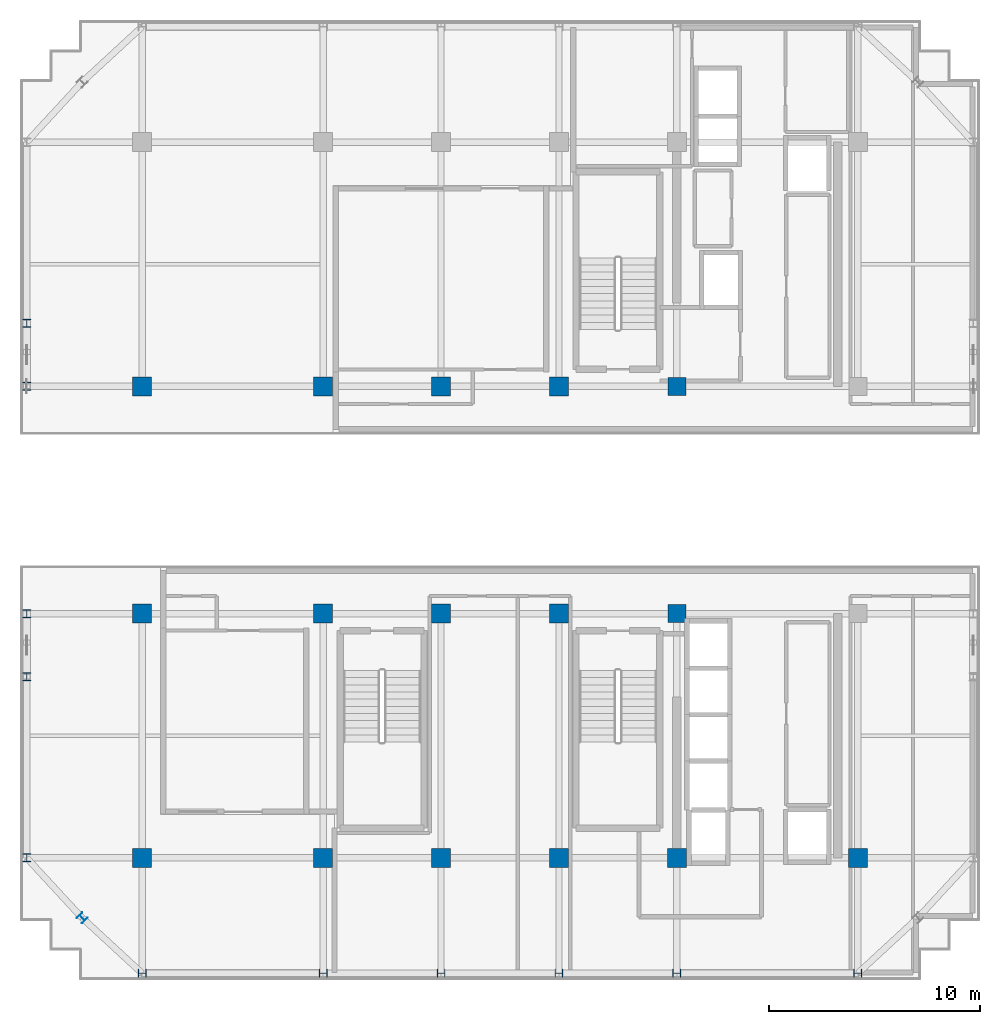
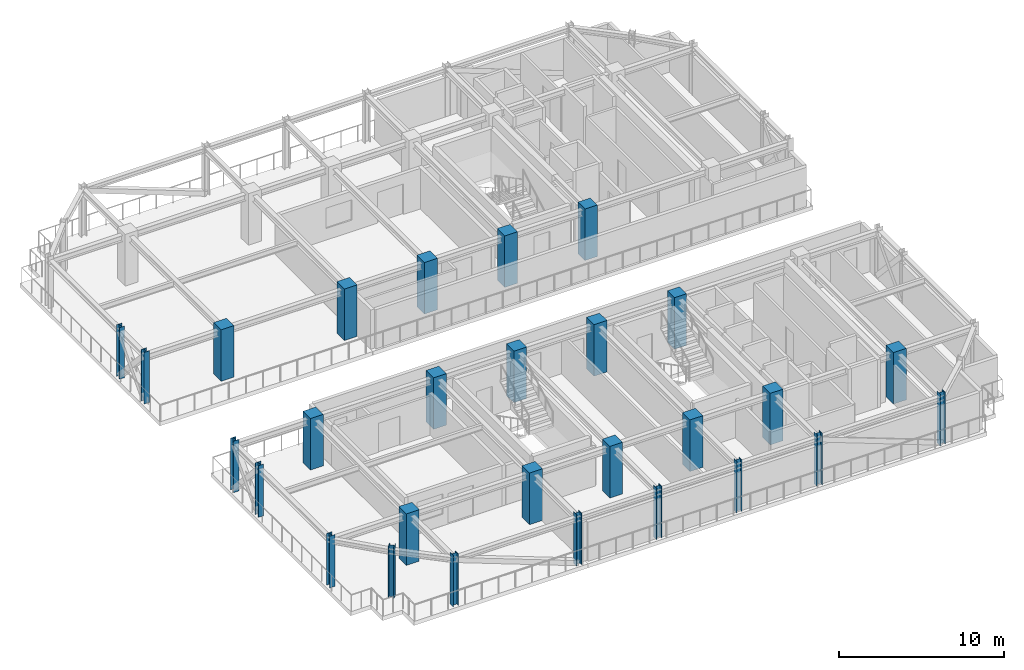
# One storey, part 1 of 14: 28 columns.
"""IFC4 building model written with IfcOpenShell, lengths in metres."""

from ifc_helpers import new_model, si_unit, direction, frame, origin, origin_2d, place, context, subcontext, project, spatial, rectangle, i_section, extrude, source, transform, mapped, material, material_profile, profile_set, type_object, element, save


model = new_model("IFC4")

# Units and contexts
model_context = context("Model", 3, precision=1e-05, world=origin(), true_north=direction((0.0, 1.0)))
body_context = subcontext(model_context, "Body", "Model", "MODEL_VIEW")
ifc_project = project(units=[si_unit("LENGTHUNIT", "METRE"), si_unit("AREAUNIT", "SQUARE_METRE"), si_unit("VOLUMEUNIT", "CUBIC_METRE"), si_unit("PLANEANGLEUNIT", "RADIAN"), si_unit("MASSUNIT", "GRAM", prefix="KILO")], contexts=[model_context])

# Site, building, storey
site_placement = place(None, origin())
site = spatial("IfcSite", under=ifc_project, at=site_placement, CompositionType="ELEMENT")
building_placement = place(site_placement, origin())
building = spatial("IfcBuilding", under=site, at=building_placement, Name="Nahalor Promenade Grand Hotel", CompositionType="ELEMENT")
storey_placement = place(building_placement, frame((0.0, 0.0, 296.5)))
storey = spatial("IfcBuildingStorey", under=building, at=storey_placement, Name="L76", CompositionType="ELEMENT", Elevation=296.5)

# Columns
ifc_material_1 = material(Name="Concrete B-50 (C40/50)", Category="concrete")
ifc_material_profile_1 = material_profile(ifc_material_1, rectangle(XDim=0.9, YDim=0.9, at=origin_2d()), Name="RC 900x900")
ifc_profile_set_1 = profile_set([ifc_material_profile_1], Name="Concrete B-50 (C40/50)")
column_type_1 = type_object("IfcColumnType", Name="Col-RC-900", PredefinedType="COLUMN", material=ifc_profile_set_1)
shared_shape_1 = source(origin(), body_context, "Body", "SweptSolid", [
    extrude(rectangle(XDim=0.9, YDim=0.9, at=origin_2d()), origin(), (0.0, 0.0, 1.0), 3.804931640625),
])
for number, where, z_axis, x_axis, name in (
    (1, (-17.0, -17.0, 0.0), (0.0, 0.0, 1.0), (1.0, 0.0, 0.0), "COL-L76-I00"),
    (2, (-17.0, -5.39990234375, 0.0), (0.0, 0.0, 1.0), (1.0, 0.0, 0.0), "COL-L76-I01"),
    (3, (-17.0, 5.39990234375, 0.0), (0.0, 0.0, 1.0), (1.0, 0.0, 0.0), "COL-L76-I02"),
    (4, (-8.39990234375, -17.0, 0.0), (0.0, 0.0, 1.0), (1.0, 0.0, 0.0), "COL-L76-I10"),
    (5, (-8.39990234375, -5.39990234375, 0.0), (0.0, 0.0, 1.0), (1.0, 0.0, 0.0), "COL-L76-I11"),
    (6, (-8.39990234375, 5.39990234375, 0.0), (0.0, 0.0, 1.0), (1.0, 0.0, 0.0), "COL-L76-I12"),
    (7, (-2.800048828125, -17.0, 0.0), (0.0, 0.0, 1.0), (1.0, 0.0, 0.0), "COL-L76-I20"),
    (8, (-2.800048828125, -5.39990234375, 0.0), (0.0, 0.0, 1.0), (1.0, 0.0, 0.0), "COL-L76-I21"),
    (9, (-2.800048828125, 5.39990234375, 0.0), (0.0, 0.0, 1.0), (1.0, 0.0, 0.0), "COL-L76-I22"),
    (10, (2.800048828125, -17.0, 0.0), (0.0, 0.0, 1.0), (1.0, 0.0, 0.0), "COL-L76-I30"),
    (11, (2.800048828125, -5.39990234375, 0.0), (0.0, 0.0, 1.0), (1.0, 0.0, 0.0), "COL-L76-I31"),
    (12, (2.800048828125, 5.39990234375, 0.0), (0.0, 0.0, 1.0), (1.0, 0.0, 0.0), "COL-L76-I32"),
    (13, (8.39990234375, -17.0, 0.0), (0.0, 0.0, 1.0), (1.0, 0.0, 0.0), "COL-L76-I40"),
    (14, (17.0, -17.0, 0.0), (0.0, 0.0, 1.0), (1.0, 0.0, 0.0), "COL-L76-I50"),
):
    element("IfcColumn", number, at=place(storey_placement, frame(where, z_axis=z_axis, x_axis=x_axis)), inside=storey, type_object=column_type_1, Name=name, PredefinedType="COLUMN", context=body_context, shape_type="MappedRepresentation", body=[
        mapped(shared_shape_1, transform((0.0, 0.0, 0.0), scale=1.0)),
    ])
ifc_material_2 = material(Name="Concrete B-70 (C60/75)", Category="concrete")
ifc_material_profile_2 = material_profile(ifc_material_2, rectangle(XDim=0.85, YDim=0.85, at=origin_2d()), Name="RC 850x850")
ifc_profile_set_2 = profile_set([ifc_material_profile_2], Name="Concrete B-70 (C60/75)")
column_type_2 = type_object("IfcColumnType", Name="Col-Pilaster-850", PredefinedType="PILASTER", material=ifc_profile_set_2)
shared_shape_2 = source(origin(), body_context, "Body", "SweptSolid", [
    extrude(rectangle(XDim=0.85, YDim=0.85, at=origin_2d()), origin(), (0.0, 0.0, 1.0), 3.804931640625),
])
for number, where, z_axis, x_axis, name in (
    (15, (8.39990234375, -5.39990234375, 0.0), (0.0, 0.0, 1.0), (1.0, 0.0, 0.0), "COL-L76-I41"),
    (16, (8.39990234375, 5.39990234375, 0.0), (0.0, 0.0, 1.0), (1.0, 0.0, 0.0), "COL-L76-I42"),
):
    element("IfcColumn", number, at=place(storey_placement, frame(where, z_axis=z_axis, x_axis=x_axis)), inside=storey, type_object=column_type_2, Name=name, PredefinedType="PILASTER", context=body_context, shape_type="MappedRepresentation", body=[
        mapped(shared_shape_2, transform((0.0, 0.0, 0.0), scale=1.0)),
    ])
ifc_material_3 = material(Name="Steel S355JR", Category="steel")
ifc_material_profile_3 = material_profile(ifc_material_3, i_section(OverallWidth=0.374, OverallDepth=0.374, WebThickness=0.0144, FlangeThickness=0.0229, at=origin_2d()), Name="HD 360x262")
ifc_profile_set_3 = profile_set([ifc_material_profile_3], Name="Steel S355JR")
column_type_3 = type_object("IfcColumnType", Name="Col-Steel-HD262", PredefinedType="COLUMN", material=ifc_profile_set_3)
shared_shape_3 = source(origin(), body_context, "Body", "SweptSolid", [
    extrude(i_section(OverallWidth=0.374, OverallDepth=0.374, WebThickness=0.0144, FlangeThickness=0.0229, at=origin_2d()), origin(), (0.0, 0.0, 1.0), 3.804931640625),
])
for number, where, z_axis, x_axis, name in (
    (17, (-22.47998046875, -17.0, 0.0), (0.0, 0.0, 1.0), (1.0, 0.0, 0.0), "COL-L76-PW-W0"),
    (18, (-22.47998046875, -8.39990234375, 0.0), (0.0, 0.0, 1.0), (1.0, 0.0, 0.0), "COL-L76-PW-W1"),
    (19, (-22.47998046875, -5.39990234375, 0.0), (0.0, 0.0, 1.0), (1.0, 0.0, 0.0), "COL-L76-PW-W2"),
    (20, (-22.47998046875, 5.39990234375, 0.0), (0.0, 0.0, 1.0), (1.0, 0.0, 0.0), "COL-L76-PW-W3"),
    (21, (-22.47998046875, 8.39990234375, 0.0), (0.0, 0.0, 1.0), (1.0, 0.0, 0.0), "COL-L76-PW-W4"),
    (22, (-17.0, -22.47998046875, 0.0), (0.0, 0.0, 1.0), (0.0, 1.0, 0.0), "COL-L76-PN-S0"),
    (23, (-8.39990234375, -22.47998046875, 0.0), (0.0, 0.0, 1.0), (0.0, 1.0, 0.0), "COL-L76-PN-S1"),
    (24, (-2.800048828125, -22.47998046875, 0.0), (0.0, 0.0, 1.0), (0.0, 1.0, 0.0), "COL-L76-PN-S2"),
    (25, (2.800048828125, -22.47998046875, 0.0), (0.0, 0.0, 1.0), (0.0, 1.0, 0.0), "COL-L76-PN-S3"),
    (26, (8.39990234375, -22.47998046875, 0.0), (0.0, 0.0, 1.0), (0.0, 1.0, 0.0), "COL-L76-PN-S4"),
    (27, (17.0, -22.47998046875, 0.0), (0.0, 0.0, 1.0), (0.0, 1.0, 0.0), "COL-L76-PN-S5"),
    (28, (-19.85009765625, -19.85009765625, 0.0), (0.0, 0.0, 1.0), (0.707106781187, 0.707106781187, 0.0), "COL-L76-CRN-SW"),
):
    element("IfcColumn", number, at=place(storey_placement, frame(where, z_axis=z_axis, x_axis=x_axis)), inside=storey, type_object=column_type_3, Name=name, PredefinedType="COLUMN", context=body_context, shape_type="MappedRepresentation", body=[
        mapped(shared_shape_3, transform((0.0, 0.0, 0.0), scale=1.0)),
    ])

save(model, "model.ifc")
